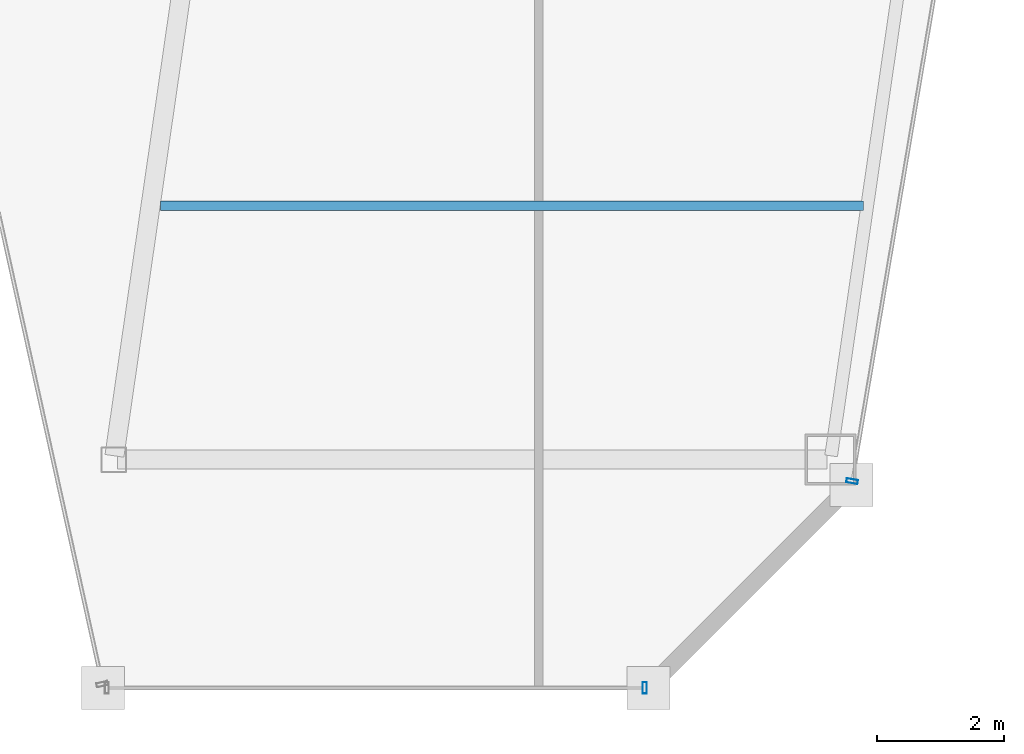
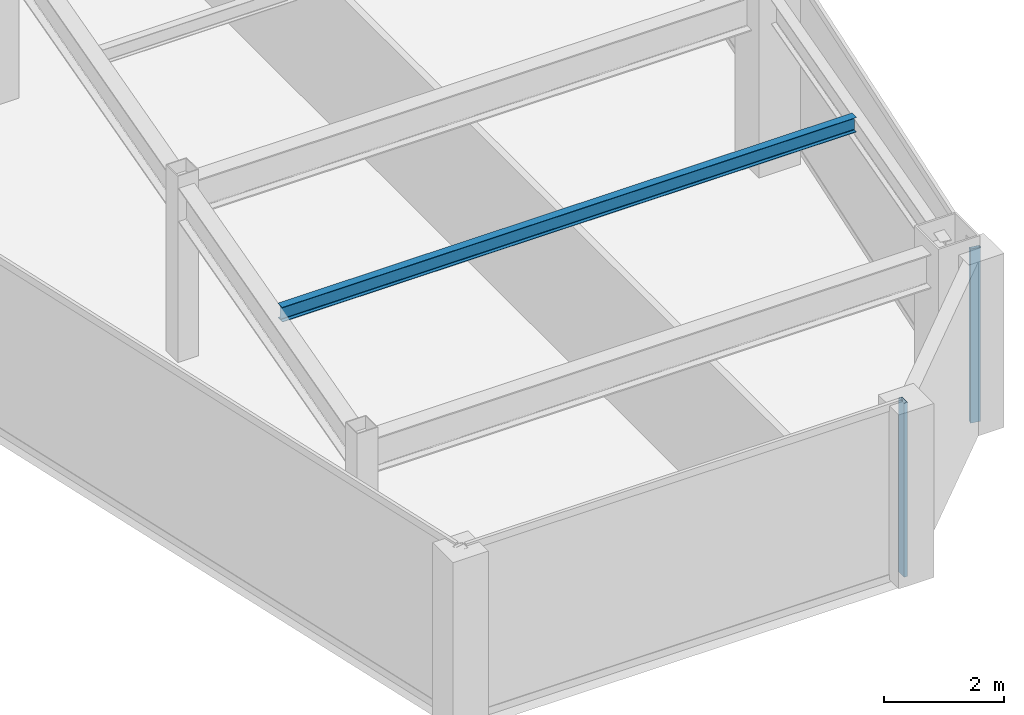
# One storey, part 18 of 35: 2 members, 1 beam, 2 elements without a shape of their own.
"""IFC4 building model written with IfcOpenShell, lengths in metres."""

from ifc_helpers import new_model, si_unit, direction, frame, origin, origin_2d, place, context, subcontext, project, spatial, hollow_rectangle, i_section, extrude, material, material_profile, profile_set, type_object, element, aggregate, save


model = new_model("IFC4")

# Units and contexts
model_context = context("Model", 3, precision=1e-05, world=origin(), true_north=direction((0.0, 1.0)))
body_context = subcontext(model_context, "Body", "Model", "MODEL_VIEW")
ifc_project = project(units=[si_unit("LENGTHUNIT", "METRE"), si_unit("AREAUNIT", "SQUARE_METRE"), si_unit("VOLUMEUNIT", "CUBIC_METRE"), si_unit("PLANEANGLEUNIT", "RADIAN"), si_unit("MASSUNIT", "GRAM", prefix="KILO")], contexts=[model_context])

# Site, building, storey
site_placement = place(None, origin())
site = spatial("IfcSite", under=ifc_project, at=site_placement, CompositionType="ELEMENT")
building_placement = place(site_placement, origin())
building = spatial("IfcBuilding", under=site, at=building_placement, Name="Saevonmaru Cultural Tower", CompositionType="ELEMENT")
storey_placement = place(building_placement, frame((0.0, 0.0, 194.199951171875)))
storey = spatial("IfcBuildingStorey", under=building, at=storey_placement, Name="L44", CompositionType="ELEMENT", Elevation=194.199951171875)

# Beam
ifc_material_1 = material(Name="Steel SM355", Category="steel")
ifc_material_profile_1 = material_profile(ifc_material_1, i_section(OverallWidth=0.14990234375, OverallDepth=0.300048828125, WebThickness=0.006591796875, FlangeThickness=0.009033203125, FilletRadius=0.012939453125, at=origin_2d()), Name="H-300x150x6.5x9")
ifc_profile_set_1 = profile_set([ifc_material_profile_1], Name="Steel SM355")
beam_type = type_object("IfcBeamType", Name="BM-J-H300", PredefinedType="JOIST", material=ifc_profile_set_1)
beam_placement = place(storey_placement, frame((38.80810546875, 20.0, 3.400146484375), z_axis=(1.0, 0.0, 0.0), x_axis=(0.0, 1.0, 0.0)))
element("IfcBeam", 1, at=beam_placement, inside=storey, type_object=beam_type, Name="L44 East Wing Floor Joist 1", PredefinedType="JOIST", context=body_context, shape_type="SweptSolid", body=[
    extrude(i_section(OverallWidth=0.14990234375, OverallDepth=0.300048828125, WebThickness=0.006591796875, FlangeThickness=0.009033203125, FilletRadius=0.012939453125, at=origin_2d()), origin(), (0.0, 0.0, 1.0), 11.081787109375),
])

# Curtain wall, member
ifc_material_2 = material(Name="Satin Bronze Anodised Aluminium", Category="aluminium")
curtain_wall_type = type_object("IfcCurtainWallType", Name="CW-TYP-B", PredefinedType="NOTDEFINED", material=ifc_material_2)
curtain_wall_1_placement = place(storey_placement, origin())
curtain_wall_1 = element("IfcCurtainWall", 2, at=curtain_wall_1_placement, inside=storey, type_object=curtain_wall_type, Name="L44 Unitised Curtain Wall E6", PredefinedType="NOTDEFINED")
ifc_material_profile_2 = material_profile(ifc_material_2, hollow_rectangle(XDim=0.06494140625, YDim=0.179931640625, WallThickness=0.00390625, at=origin_2d()), Name="ALU-MULL-180x65x4")
ifc_profile_set_2 = profile_set([ifc_material_profile_2], Name="Satin Bronze Anodised Aluminium")
member_type = type_object("IfcMemberType", Name="ML-CW-180x65", PredefinedType="MULLION", material=ifc_profile_set_2)
member_1_placement = place(storey_placement, frame((46.442138671875, 12.39990234375, 0.0), z_axis=(0.0, 0.0, 1.0), x_axis=(1.0, 0.0, 0.0)))
member_1 = element("IfcMember", 3, at=member_1_placement, type_object=member_type, Name="CW-TW-L44-E6 mullion 2", PredefinedType="MULLION", context=body_context, shape_type="SweptSolid", body=[
    extrude(hollow_rectangle(XDim=0.06494140625, YDim=0.179931640625, WallThickness=0.00390625, at=origin_2d()), origin(), (0.0, 0.0, 1.0), 3.550048828125),
])
aggregate(curtain_wall_1, [member_1])

curtain_wall_2_placement = place(storey_placement, origin())
curtain_wall_2 = element("IfcCurtainWall", 4, at=curtain_wall_2_placement, inside=storey, type_object=curtain_wall_type, Name="L44 Unitised Curtain Wall E8", PredefinedType="NOTDEFINED")
member_2_placement = place(storey_placement, frame((49.712158203125, 15.6591796875, 0.0), z_axis=(0.0, 0.0, 1.0), x_axis=(0.16692169721, 0.985970155228, 0.0)))
member_2 = element("IfcMember", 5, at=member_2_placement, type_object=member_type, Name="CW-TW-L44-E8 mullion 1", PredefinedType="MULLION", context=body_context, shape_type="SweptSolid", body=[
    extrude(hollow_rectangle(XDim=0.06494140625, YDim=0.179931640625, WallThickness=0.00390625, at=origin_2d()), origin(), (0.0, 0.0, 1.0), 3.550048828125),
])
aggregate(curtain_wall_2, [member_2])

save(model, "model.ifc")
